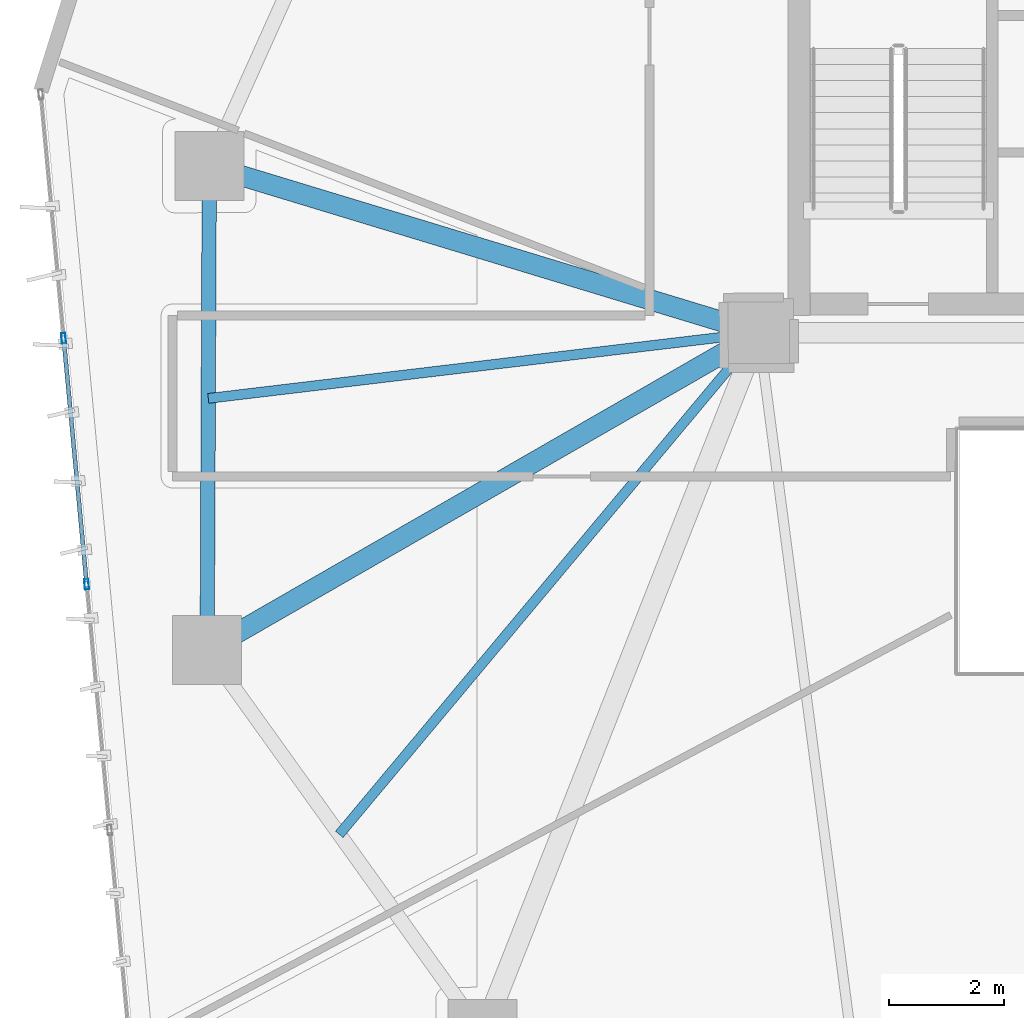
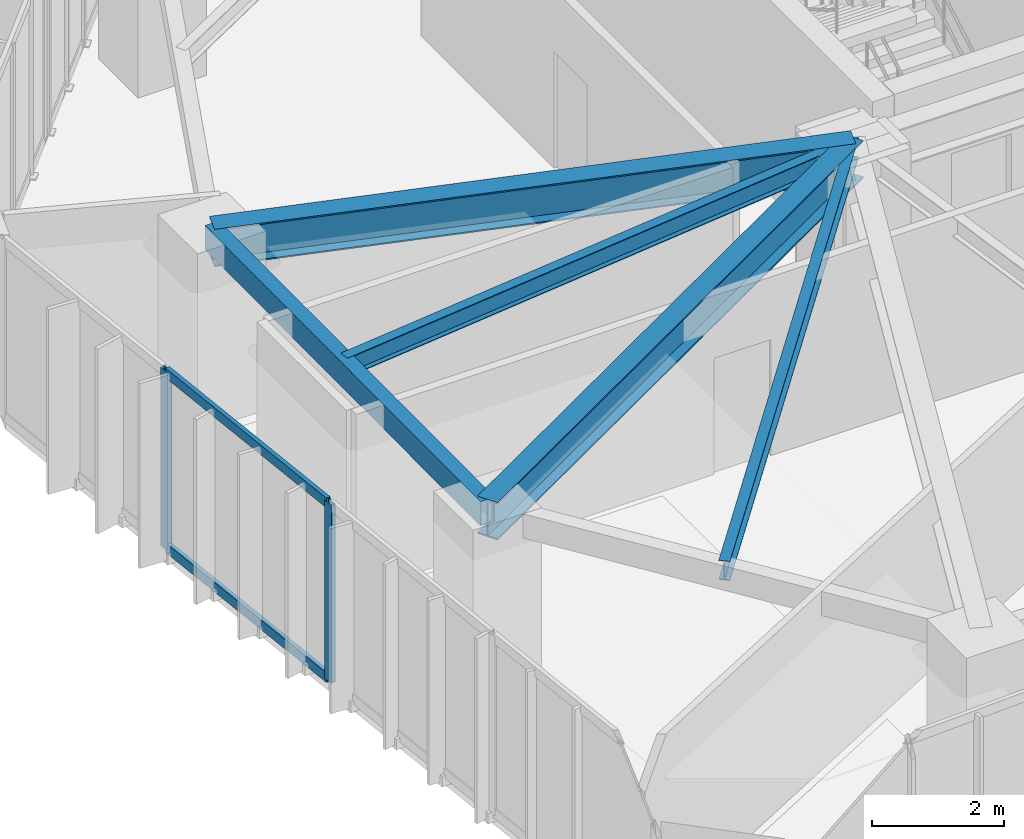
# One storey, part 4 of 23: 5 beams, 4 members, 1 element without a shape of its own.
"""IFC4 building model written with IfcOpenShell, lengths in metres."""

import ifcopenshell
import ifcopenshell.guid

model = None  # the IFC model being written
_history = None  # IfcOwnerHistory: only IFC2X3 demands one
_inside = {}  # id of a spatial element -> (the spatial element, [elements in it])
_under = {}  # id of a project, library or spatial element -> (it, [spatial elements below it])
_declared = {}  # id of a project -> (the project, [libraries it declares])
_typed = {}  # id of a type object -> (the type object, [elements of that type])
_made_of = {}  # id of a material, layer set ... -> (it, [elements and type objects made of it])


def new_model(schema):
    """Start an empty IFC model of exactly this schema.

    Asked for "IFC4X3", IfcOpenShell would pick the latest addendum, in which some entities
    have other attributes; the version numbers below select the first issue.
    IFC2X3 requires an IfcOwnerHistory on every rooted entity: one is made here for all.
    """
    global model, _history
    if schema == "IFC4X3":
        model = ifcopenshell.file(schema_version=(4, 3, 0, 0))
    else:
        model = ifcopenshell.file(schema=schema)
    _inside.clear()
    _under.clear()
    _declared.clear()
    _typed.clear()
    _made_of.clear()
    _history = None
    if model.schema == "IFC2X3":
        org = make("IfcOrganization", Name="unknown")
        user = make(
            "IfcPersonAndOrganization",
            ThePerson=make("IfcPerson", FamilyName="unknown"),
            TheOrganization=org,
        )
        app = make(
            "IfcApplication",
            ApplicationDeveloper=org,
            Version="unknown",
            ApplicationFullName="unknown",
            ApplicationIdentifier="unknown",
        )
        _history = make(
            "IfcOwnerHistory",
            OwningUser=user,
            OwningApplication=app,
            ChangeAction="ADDED",
            CreationDate=0,
        )
    return model


def make(cls, **values):
    """One entity of the class cls with the attributes given. An attribute that is None is left unset."""
    return model.create_entity(
        cls, **{name: value for name, value in values.items() if value is not None}
    )


def rooted(cls, **values):
    """An entity with a GlobalId (a new one), such as an element, a storey or a relation."""
    return make(cls, GlobalId=ifcopenshell.guid.new(), OwnerHistory=_history, **values)


def si_unit(unit_type, name, prefix=None):
    """IfcSIUnit, for example si_unit("LENGTHUNIT", "METRE", prefix="MILLI")."""
    return make("IfcSIUnit", UnitType=unit_type, Prefix=prefix, Name=name)


def assignment(units):
    """IfcUnitAssignment: the units of a project."""
    return None if units is None else make("IfcUnitAssignment", Units=units)


def point(xyz):
    """IfcCartesianPoint."""
    return None if xyz is None else make("IfcCartesianPoint", Coordinates=xyz)


def direction(xyz):
    """IfcDirection."""
    return None if xyz is None else make("IfcDirection", DirectionRatios=xyz)


def frame(location, z_axis=None, x_axis=None):
    """IfcAxis2Placement3D, a coordinate frame: its origin and axes. An axis left out is left unset."""
    return make(
        "IfcAxis2Placement3D",
        Location=point(location),
        Axis=direction(z_axis),
        RefDirection=direction(x_axis),
    )


def frame_2d(location, x_axis=None):
    """IfcAxis2Placement2D, a coordinate frame in the plane: its origin and x axis."""
    return make(
        "IfcAxis2Placement2D", Location=point(location), RefDirection=direction(x_axis)
    )


def origin():
    """The frame at (0, 0, 0) with its axes left unset."""
    return frame((0.0, 0.0, 0.0))


def origin_2d():
    """The frame at (0, 0) in the plane with its x axis left unset."""
    return frame_2d((0.0, 0.0))


def place(relative_to, where):
    """IfcLocalPlacement: puts the frame where relative to a parent placement (None: the world)."""
    return make(
        "IfcLocalPlacement", PlacementRelTo=relative_to, RelativePlacement=where
    )


def context(
    kind, dimensions, precision=None, world=None, true_north=None, identifier=None
):
    """IfcGeometricRepresentationContext, for example the 3D "Model" context."""
    return make(
        "IfcGeometricRepresentationContext",
        ContextIdentifier=identifier,
        ContextType=kind,
        CoordinateSpaceDimension=dimensions,
        Precision=precision,
        WorldCoordinateSystem=world,
        TrueNorth=true_north,
    )


def subcontext(parent, identifier, kind, view, scale=None):
    """IfcGeometricRepresentationSubContext, for example "Body" below "Model"."""
    return make(
        "IfcGeometricRepresentationSubContext",
        ContextIdentifier=identifier,
        ContextType=kind,
        ParentContext=parent,
        TargetScale=scale,
        TargetView=view,
    )


def project(units=None, contexts=None):
    """IfcProject with its units and contexts."""
    return rooted(
        "IfcProject",
        Name="project",
        RepresentationContexts=contexts,
        UnitsInContext=assignment(units),
    )


def spatial(cls, under=None, at=None, **own):
    """A site, building, storey or space (cls), placed at a placement, below another one or the project."""
    s = rooted(cls, ObjectPlacement=at, **own)
    if under is not None:
        _under.setdefault(under.id(), (under, []))[1].append(s)
    return s


def profile(cls, at=None, kind="AREA", **sizes):
    """A parametric profile (cls). Its sizes go by their IFC names, for example OverallWidth=200.0."""
    return make(cls, ProfileType=kind, Position=at, **sizes)


def hollow_rectangle(**sizes):
    """IfcRectangleHollowProfileDef."""
    return profile("IfcRectangleHollowProfileDef", **sizes)


def i_section(**sizes):
    """IfcIShapeProfileDef."""
    return profile("IfcIShapeProfileDef", **sizes)


def extrude(swept, where, along, depth):
    """IfcExtrudedAreaSolid: the profile swept, set in the frame where, extruded along a direction by depth."""
    return make(
        "IfcExtrudedAreaSolid",
        SweptArea=swept,
        Position=where,
        ExtrudedDirection=direction(along),
        Depth=depth,
    )


def shape(context_of_items, identifier, shape_type, items):
    """IfcShapeRepresentation: the items that make up one representation, for example the "Body"."""
    return make(
        "IfcShapeRepresentation",
        ContextOfItems=context_of_items,
        RepresentationIdentifier=identifier,
        RepresentationType=shape_type,
        Items=items,
    )


def source(mapping_origin, context_of_items, identifier, shape_type, items):
    """IfcRepresentationMap: a shape defined once, which mapped items show again and again."""
    return make(
        "IfcRepresentationMap",
        MappingOrigin=mapping_origin,
        MappedRepresentation=shape(context_of_items, identifier, shape_type, items),
    )


def transform(
    local_origin,
    x_axis=None,
    y_axis=None,
    z_axis=None,
    scale=None,
    scale2=None,
    scale3=None,
    uniform=True,
):
    """IfcCartesianTransformationOperator3D, or its non-uniform kind. x_axis, y_axis, z_axis: its Axis1, 2, 3."""
    if uniform:
        return make(
            "IfcCartesianTransformationOperator3D",
            Axis1=direction(x_axis),
            Axis2=direction(y_axis),
            LocalOrigin=point(local_origin),
            Scale=scale,
            Axis3=direction(z_axis),
        )
    return make(
        "IfcCartesianTransformationOperator3DnonUniform",
        Axis1=direction(x_axis),
        Axis2=direction(y_axis),
        LocalOrigin=point(local_origin),
        Scale=scale,
        Axis3=direction(z_axis),
        Scale2=scale2,
        Scale3=scale3,
    )


def mapped(mapping_source, mapping_target):
    """IfcMappedItem: shows the shape of a source again, moved by a transform."""
    return make(
        "IfcMappedItem", MappingSource=mapping_source, MappingTarget=mapping_target
    )


def material(Name=None, Category=None):
    """IfcMaterial."""
    return make("IfcMaterial", Name=Name, Category=Category)


def layer(
    of_material, thickness, ventilated=None, Name=None, Category=None, Priority=None
):
    """IfcMaterialLayer: one layer of a wall or slab, of a material (None: an air gap)."""
    return make(
        "IfcMaterialLayer",
        Material=of_material,
        LayerThickness=thickness,
        IsVentilated=ventilated,
        Name=Name,
        Category=Category,
        Priority=Priority,
    )


def layer_set(layers, Name=None):
    """IfcMaterialLayerSet."""
    return make("IfcMaterialLayerSet", MaterialLayers=layers, LayerSetName=Name)


def material_profile(
    of_material, cross_section, Name=None, Category=None, Priority=None
):
    """IfcMaterialProfile: a cross section and its material."""
    return make(
        "IfcMaterialProfile",
        Name=Name,
        Material=of_material,
        Profile=cross_section,
        Priority=Priority,
        Category=Category,
    )


def profile_set(profiles, Name=None, composite=None):
    """IfcMaterialProfileSet."""
    return make(
        "IfcMaterialProfileSet",
        Name=Name,
        MaterialProfiles=profiles,
        CompositeProfile=composite,
    )


def made_of(thing, what):
    """Note that an element or type object is made of a material, layer set ...; save() writes the relation."""
    if what is not None:
        _made_of.setdefault(what.id(), (what, []))[1].append(thing)
    return thing


def type_object(cls, material=None, **own):
    """A type object (cls), such as IfcWallType, which elements share."""
    return made_of(rooted(cls, **own), material)


def type_shapes(of_type, sources):
    """Give a type object the sources (RepresentationMaps) that its elements show as mapped items."""
    of_type.RepresentationMaps = sources


def element(
    cls,
    number,
    at=None,
    inside=None,
    cuts=None,
    type_object=None,
    material=None,
    context=None,
    identifier="Body",
    shape_type=None,
    held_by="IfcProductDefinitionShape",
    body=None,
    shapes=None,
    **own,
):
    """One element of the class cls, such as IfcWall. Its Tag is "e" and its number.

    at: its placement. inside: the storey or other place that contains it. cuts: it is an
    opening in that element (IfcRelVoidsElement). A single representation is given by context,
    identifier, shape_type and body (its items); several are given by shapes. held_by: the class
    of the entity that holds the representations. save() writes the other relations.
    """
    e = rooted(cls, Tag="e%d" % number, ObjectPlacement=at, **own)
    if body is not None:
        shapes = [shape(context, identifier, shape_type, body)]
    if shapes is not None:
        e.Representation = make(held_by, Representations=shapes)
    if inside is not None:
        _inside.setdefault(inside.id(), (inside, []))[1].append(e)
    if cuts is not None:
        rooted(
            "IfcRelVoidsElement", RelatingBuildingElement=cuts, RelatedOpeningElement=e
        )
    if type_object is not None:
        _typed.setdefault(type_object.id(), (type_object, []))[1].append(e)
    return made_of(e, material)


def aggregate(whole, parts):
    """IfcRelAggregates: a whole, such as a stair, and the parts it consists of."""
    return rooted("IfcRelAggregates", RelatingObject=whole, RelatedObjects=parts)


def save(model, path):
    """Write the relations noted so far, then the file.

    IfcRelAggregates (storeys below a building ...), IfcRelContainedInSpatialStructure (elements
    in a storey), IfcRelDefinesByType, IfcRelAssociatesMaterial and IfcRelDeclares: one each for
    every whole, place, type object, material and project.
    """
    for whole, parts in _under.values():
        aggregate(whole, parts)
    for where, things in _inside.values():
        rooted(
            "IfcRelContainedInSpatialStructure",
            RelatedElements=things,
            RelatingStructure=where,
        )
    for kind, things in _typed.values():
        rooted("IfcRelDefinesByType", RelatedObjects=things, RelatingType=kind)
    for what, things in _made_of.values():
        rooted("IfcRelAssociatesMaterial", RelatedObjects=things, RelatingMaterial=what)
    for by, libraries in _declared.values():
        rooted("IfcRelDeclares", RelatingContext=by, RelatedDefinitions=libraries)
    model.write(path)


model = new_model("IFC4")

# Units and contexts
model_context = context("Model", 3, precision=1e-05, world=origin(), true_north=direction((0.0, 1.0)))
body_context = subcontext(model_context, "Body", "Model", "MODEL_VIEW")
ifc_project = project(units=[si_unit("LENGTHUNIT", "METRE"), si_unit("AREAUNIT", "SQUARE_METRE"), si_unit("VOLUMEUNIT", "CUBIC_METRE"), si_unit("PLANEANGLEUNIT", "RADIAN"), si_unit("MASSUNIT", "GRAM", prefix="KILO")], contexts=[model_context])

# Site, building, storey
site_placement = place(None, origin())
site = spatial("IfcSite", under=ifc_project, at=site_placement, CompositionType="ELEMENT")
building_placement = place(site_placement, origin())
building = spatial("IfcBuilding", under=site, at=building_placement, Name="Talar Marvaseh", CompositionType="ELEMENT")
storey_placement = place(building_placement, frame((0.0, 0.0, 100.199951171875)))
storey = spatial("IfcBuildingStorey", under=building, at=storey_placement, Name="L25", CompositionType="ELEMENT", Elevation=100.199951171875)

# Beams
ifc_material_1 = material(Name="Steel S355", Category="steel")
ifc_material_profile_1 = material_profile(ifc_material_1, hollow_rectangle(XDim=0.25, YDim=0.449951171875, WallThickness=0.01611328125, at=origin_2d()), Name="RHS450x250x16")
ifc_profile_set_1 = profile_set([ifc_material_profile_1], Name="Steel S355")
beam_type_1 = type_object("IfcBeamType", Name="Zone 2 Perimeter Spandrel Beam RHS450x250x16", PredefinedType="SPANDREL", material=ifc_profile_set_1)
beam_1_placement = place(storey_placement, frame((9.10107421875, 19.97705078125, 3.0849609375), z_axis=(0.004375628226, 0.999990426893, 0.0), x_axis=(-0.999990426893, 0.004375628226, 0.0)))
element("IfcBeam", 1, at=beam_1_placement, inside=storey, type_object=beam_type_1, Name="L25 Zone 2 Perimeter Spandrel Beam RHS450x250x16", PredefinedType="SPANDREL", context=body_context, shape_type="SweptSolid", body=[
    extrude(hollow_rectangle(XDim=0.25, YDim=0.449951171875, WallThickness=0.01611328125, at=origin_2d()), origin(), (0.0, 0.0, 1.0), 8.425048828125),
])
ifc_material_profile_2 = material_profile(ifc_material_1, i_section(OverallWidth=0.35498046875, OverallDepth=0.695068359375, WebThickness=0.015380859375, FlangeThickness=0.02490234375, at=origin_2d()), Name="W690x217")
ifc_profile_set_2 = profile_set([ifc_material_profile_2], Name="Steel S355")
beam_type_2 = type_object("IfcBeamType", Name="Zone 2 Radial Floor Girder W690x217", PredefinedType="BEAM", material=ifc_profile_set_2)
beam_2_placement = place(storey_placement, frame((9.10107421875, 19.97705078125, 2.962646484375), z_axis=(0.866765990926, 0.498715065919, 0.0), x_axis=(-0.498715065919, 0.866765990926, 0.0)))
element("IfcBeam", 2, at=beam_2_placement, inside=storey, type_object=beam_type_2, Name="L25 Zone 2 Radial Floor Girder W690x217", PredefinedType="BEAM", context=body_context, shape_type="SweptSolid", body=[
    extrude(i_section(OverallWidth=0.35498046875, OverallDepth=0.695068359375, WebThickness=0.015380859375, FlangeThickness=0.02490234375, at=origin_2d()), origin(), (0.0, 0.0, 1.0), 11.074462890625),
])
beam_3_placement = place(storey_placement, frame((9.137939453125, 28.402099609375, 2.962646484375), z_axis=(0.956898764921, -0.290421682546, 0.0), x_axis=(0.290421682546, 0.956898764921, 0.0)))
element("IfcBeam", 3, at=beam_3_placement, inside=storey, type_object=beam_type_2, Name="L25 Zone 2 Radial Floor Girder W690x217", PredefinedType="BEAM", context=body_context, shape_type="SweptSolid", body=[
    extrude(i_section(OverallWidth=0.35498046875, OverallDepth=0.695068359375, WebThickness=0.015380859375, FlangeThickness=0.02490234375, at=origin_2d()), origin(), (0.0, 0.0, 1.0), 9.99267578125),
])
ifc_material_profile_3 = material_profile(ifc_material_1, i_section(OverallWidth=0.172119140625, OverallDepth=0.35791015625, WebThickness=0.0078125, FlangeThickness=0.01318359375, at=origin_2d()), Name="W360x57")
ifc_profile_set_3 = profile_set([ifc_material_profile_3], Name="Steel S355")
beam_type_3 = type_object("IfcBeamType", Name="Zone 2 Secondary Floor Joist W360x57", PredefinedType="JOIST", material=ifc_profile_set_3)
beam_4_placement = place(storey_placement, frame((11.400146484375, 16.771484375, 3.131103515625), z_axis=(0.641534082313, 0.767094532135, 0.0), x_axis=(-0.767094532135, 0.641534082313, 0.0)))
element("IfcBeam", 4, at=beam_4_placement, inside=storey, type_object=beam_type_3, Name="L25 Zone 2 Secondary Floor Joist W360x57", PredefinedType="JOIST", context=body_context, shape_type="SweptSolid", body=[
    extrude(i_section(OverallWidth=0.172119140625, OverallDepth=0.35791015625, WebThickness=0.0078125, FlangeThickness=0.01318359375, at=origin_2d()), origin(), (0.0, 0.0, 1.0), 11.378662109375),
])
beam_5_placement = place(storey_placement, frame((9.1201171875, 24.35791015625, 3.131103515625), z_axis=(0.992968386245, 0.118379829018, 0.0), x_axis=(-0.118379829018, 0.992968386245, 0.0)))
element("IfcBeam", 5, at=beam_5_placement, inside=storey, type_object=beam_type_3, Name="L25 Zone 2 Secondary Floor Joist W360x57", PredefinedType="JOIST", context=body_context, shape_type="SweptSolid", body=[
    extrude(i_section(OverallWidth=0.172119140625, OverallDepth=0.35791015625, WebThickness=0.0078125, FlangeThickness=0.01318359375, at=origin_2d()), origin(), (0.0, 0.0, 1.0), 9.647705078125),
])

# Curtain wall, members
ifc_material_2 = material(Name="Architectural Aluminium", Category="aluminium")
ifc_layer = layer(ifc_material_2, 0.199951171875)
ifc_layer_set = layer_set([ifc_layer], Name="Architectural Aluminium")
curtain_wall_type = type_object("IfcCurtainWallType", Name="Unitised Acoustic Library Curtain Wall Z2", PredefinedType="NOTDEFINED", material=ifc_layer_set)
curtain_wall_placement = place(storey_placement, origin())
curtain_wall = element("IfcCurtainWall", 6, at=curtain_wall_placement, inside=storey, type_object=curtain_wall_type, Name="L25 Unitised Acoustic Library Curtain Wall Z2", PredefinedType="NOTDEFINED")
ifc_material_profile_4 = material_profile(ifc_material_2, hollow_rectangle(XDim=0.074951171875, YDim=0.179931640625, WallThickness=0.0048828125, at=origin_2d()), Name="RHS180x75x5")
ifc_profile_set_4 = profile_set([ifc_material_profile_4], Name="Architectural Aluminium")
member_type_1 = type_object("IfcMemberType", Name="Unitised Curtain Wall Standard Mullion RHS180x75x5", PredefinedType="MULLION", material=ifc_profile_set_4)
shared_shape_1 = source(origin(), body_context, "Body", "SweptSolid", [
    extrude(hollow_rectangle(XDim=0.074951171875, YDim=0.179931640625, WallThickness=0.0048828125, at=origin_2d()), origin(), (0.0, 0.0, 1.0), 3.31005859375),
])
type_shapes(member_type_1, [shared_shape_1])
member_1_placement = place(storey_placement, frame((7.00390625, 21.12548828125, 0.0), z_axis=(0.0, 0.0, 1.0), x_axis=(-0.995649888657, -0.093173489885, 0.0)))
member_1 = element("IfcMember", 7, at=member_1_placement, type_object=member_type_1, Name="CW-Z2 mullion 3", PredefinedType="MULLION", context=body_context, shape_type="MappedRepresentation", body=[
    mapped(shared_shape_1, transform((0.0, 0.0, 0.0), x_axis=(1.0, 0.0, 0.0), y_axis=(0.0, 1.0, 0.0), z_axis=(0.0, 0.0, 1.0), scale=1.0)),
])
member_2_placement = place(storey_placement, frame((6.603271484375, 25.40478515625, 0.0), z_axis=(0.0, 0.0, 1.0), x_axis=(-0.995649888657, -0.093173489885, 0.0)))
member_2 = element("IfcMember", 8, at=member_2_placement, type_object=member_type_1, Name="CW-Z2 mullion 4", PredefinedType="MULLION", context=body_context, shape_type="MappedRepresentation", body=[
    mapped(shared_shape_1, transform((0.0, 0.0, 0.0), x_axis=(1.0, 0.0, 0.0), y_axis=(0.0, 1.0, 0.0), z_axis=(0.0, 0.0, 1.0), scale=1.0)),
])
ifc_material_profile_5 = material_profile(ifc_material_2, hollow_rectangle(XDim=0.074951171875, YDim=0.179931640625, WallThickness=0.0048828125, at=origin_2d()), Name="RHS180x75x5")
ifc_profile_set_5 = profile_set([ifc_material_profile_5], Name="Architectural Aluminium")
member_type_2 = type_object("IfcMemberType", Name="Unitised Curtain Wall Transom RHS180x75x5", PredefinedType="USERDEFINED", material=ifc_profile_set_5)
shared_shape_2 = source(origin(), body_context, "Body", "SweptSolid", [
    extrude(hollow_rectangle(XDim=0.074951171875, YDim=0.179931640625, WallThickness=0.0048828125, at=origin_2d()), origin(), (0.0, 0.0, 1.0), 4.222900390625),
])
type_shapes(member_type_2, [shared_shape_2])
member_3_placement = place(storey_placement, frame((7.000244140625, 21.162841796875, 0.03759765625), z_axis=(-0.093136542771, 0.995653345498, 0.0), x_axis=(-0.995653345498, -0.093136542771, 0.0)))
member_3 = element("IfcMember", 9, at=member_3_placement, type_object=member_type_2, Name="CW-Z2 transom 3.1", ObjectType="TRANSOM", PredefinedType="USERDEFINED", context=body_context, shape_type="MappedRepresentation", body=[
    mapped(shared_shape_2, transform((0.0, 0.0, 0.0), x_axis=(1.0, 0.0, 0.0), y_axis=(0.0, 1.0, 0.0), z_axis=(0.0, 0.0, 1.0), scale=1.0)),
])
member_4_placement = place(storey_placement, frame((7.000244140625, 21.162841796875, 3.2724609375), z_axis=(-0.093136542771, 0.995653345498, 0.0), x_axis=(-0.995653345498, -0.093136542771, 0.0)))
member_4 = element("IfcMember", 10, at=member_4_placement, type_object=member_type_2, Name="CW-Z2 transom 3.2", ObjectType="TRANSOM", PredefinedType="USERDEFINED", context=body_context, shape_type="MappedRepresentation", body=[
    mapped(shared_shape_2, transform((0.0, 0.0, 0.0), x_axis=(1.0, 0.0, 0.0), y_axis=(0.0, 1.0, 0.0), z_axis=(0.0, 0.0, 1.0), scale=1.0)),
])
aggregate(curtain_wall, [member_1, member_2, member_3, member_4])

save(model, "model.ifc")
